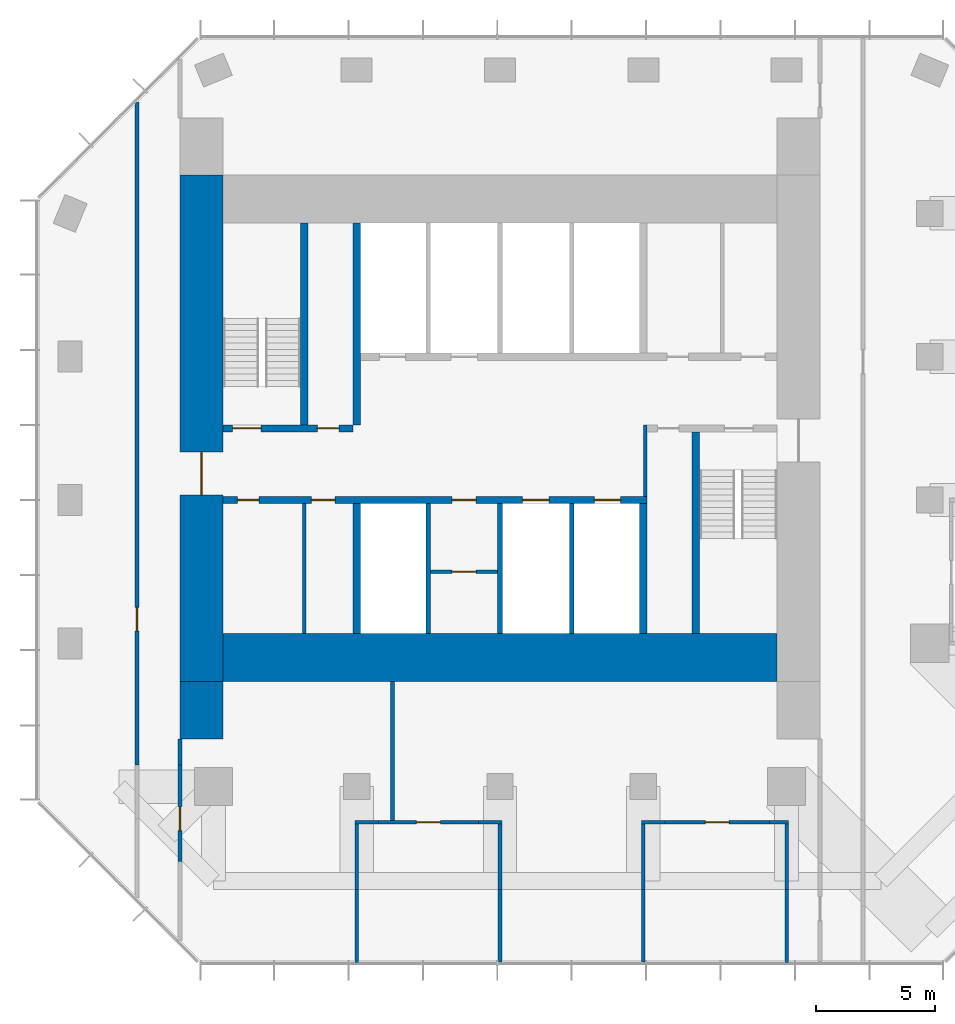
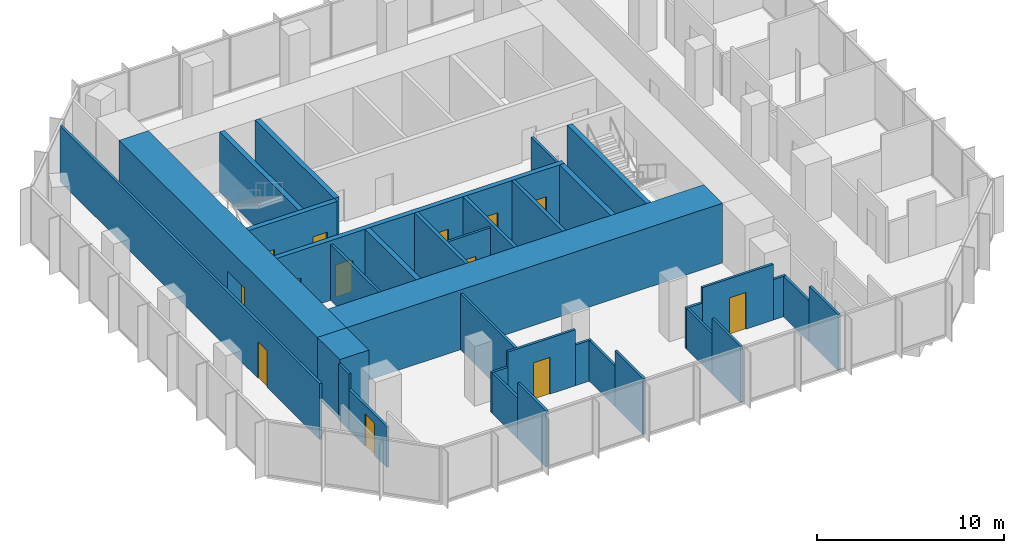
# One storey, part 8 of 11: 34 walls, 13 doors, 13 openings.
"""IFC4 building model written with IfcOpenShell, lengths in metres."""

from ifc_helpers import new_model, si_unit, direction, frame, frame_2d, origin, place, context, subcontext, project, spatial, rectangle, extrude, material, layer, layer_set, type_object, element, fill, save


model = new_model("IFC4")

# Units and contexts
model_context = context("Model", 3, precision=1e-05, world=origin(), true_north=direction((0.0, 1.0)))
body_context = subcontext(model_context, "Body", "Model", "MODEL_VIEW")
ifc_project = project(units=[si_unit("LENGTHUNIT", "METRE"), si_unit("AREAUNIT", "SQUARE_METRE"), si_unit("VOLUMEUNIT", "CUBIC_METRE"), si_unit("PLANEANGLEUNIT", "RADIAN"), si_unit("MASSUNIT", "GRAM", prefix="KILO")], contexts=[model_context])

# Site, building, storey
site_placement = place(None, origin())
site = spatial("IfcSite", under=ifc_project, at=site_placement, CompositionType="ELEMENT")
building_placement = place(site_placement, origin())
building = spatial("IfcBuilding", under=site, at=building_placement, Name="Highveld Stack Headquarters", CompositionType="ELEMENT")
storey_placement = place(building_placement, frame((0.0, 0.0, 291.800048828125)))
storey = spatial("IfcBuildingStorey", under=building, at=storey_placement, Name="L72", CompositionType="ELEMENT", Elevation=291.800048828125)

# Wall, opening, door
ifc_material_1 = material(Name="Concrete C60/75", Category="concrete")
ifc_layer_1 = layer(ifc_material_1, 1.800048828125)
ifc_layer_set_1 = layer_set([ifc_layer_1], Name="Concrete C60/75")
wall_type_1 = type_object("IfcWallType", Name="CORE WALL 1800 C60/75", PredefinedType="SHEAR", material=ifc_layer_set_1)
wall_1_placement = place(storey_placement, frame((-6.5, -7.60009765625, 0.0), z_axis=(0.0, 0.0, 1.0), x_axis=(0.0, 1.0, 0.0)))
wall_1 = element("IfcWall", 1, at=wall_1_placement, inside=storey, type_object=wall_type_1, Name="Core wall W L72", PredefinedType="SHEAR", context=body_context, shape_type="SweptSolid", body=[
    extrude(rectangle(XDim=21.2001953125, YDim=1.800048828125, at=frame_2d((10.60009765625, 0.0))), origin(), (0.0, 0.0, 1.0), 3.89990234375),
])
opening_1_placement = place(wall_1_placement, frame((7.800048828125, 0.0, 0.0)))
opening_1 = element("IfcOpeningElement", 2, at=opening_1_placement, cuts=wall_1, Name="Opening L72-01", PredefinedType="OPENING", context=body_context, shape_type="SweptSolid", body=[
    extrude(rectangle(XDim=1.800048828125, YDim=2.39990234375, at=frame_2d((0.89990234375, 1.199951171875))), frame((0.0, 0.909912109375, 0.0), z_axis=(0.0, -1.0, 0.0), x_axis=(1.0, 0.0, 0.0)), (0.0, 0.0, 1.0), 1.820068359375),
])
ifc_material_2 = material(Name="Steel fire door", Category="steel")
door_type_1 = type_object("IfcDoorType", Name="LOBBY FIRE DOOR D4 1800x2400", OperationType="DOUBLE_DOOR_SINGLE_SWING", PredefinedType="DOOR", material=ifc_material_2)
door_1_placement = place(opening_1_placement, origin())
door_1 = element("IfcDoor", 3, at=door_1_placement, inside=storey, type_object=door_type_1, Name="Core west door L72", OperationType="DOUBLE_DOOR_SINGLE_SWING", OverallHeight=2.39990234375, OverallWidth=1.800048828125, PredefinedType="DOOR", context=body_context, shape_type="SweptSolid", body=[
    extrude(rectangle(XDim=1.800048828125, YDim=2.39990234375, at=frame_2d((0.89990234375, 1.199951171875))), frame((0.0, 0.02490234375, 0.0), z_axis=(0.0, -1.0, 0.0), x_axis=(1.0, 0.0, 0.0)), (0.0, 0.0, 1.0), 0.050048828125),
])
fill(opening_1, door_1)

# Wall
ifc_material_3 = material(Name="Concrete C60/75", Category="concrete")
ifc_layer_2 = layer(ifc_material_3, 2.0)
ifc_layer_set_2 = layer_set([ifc_layer_2], Name="Concrete C60/75")
wall_type_2 = type_object("IfcWallType", Name="CORE WALL 2000 C60/75", PredefinedType="SHEAR", material=ifc_layer_set_2)
wall_2_placement = place(storey_placement, frame((-5.60009765625, -6.60009765625, 0.0), z_axis=(0.0, 0.0, 1.0), x_axis=(1.0, 0.0, 0.0)))
element("IfcWall", 4, at=wall_2_placement, inside=storey, type_object=wall_type_2, Name="Core wall S L72", PredefinedType="SHEAR", context=body_context, shape_type="SweptSolid", body=[
    extrude(rectangle(XDim=23.2001953125, YDim=2.0, at=frame_2d((11.60009765625, 0.0))), origin(), (0.0, 0.0, 1.0), 3.89990234375),
])

# Wall, openings, doors
ifc_material_4 = material(Name="Concrete C60/75", Category="concrete")
ifc_layer_3 = layer(ifc_material_4, 0.300048828125)
ifc_layer_set_3 = layer_set([ifc_layer_3], Name="Concrete C60/75")
wall_type_3 = type_object("IfcWallType", Name="CORE WALL 300 C60/75", PredefinedType="SHEAR", material=ifc_layer_set_3)
wall_3_placement = place(storey_placement, frame((-5.60009765625, 0.0, 0.0), z_axis=(0.0, 0.0, 1.0), x_axis=(1.0, 0.0, 0.0)))
wall_3 = element("IfcWall", 5, at=wall_3_placement, inside=storey, type_object=wall_type_3, Name="Core wall I-Y0 L72", PredefinedType="SHEAR", context=body_context, shape_type="SweptSolid", body=[
    extrude(rectangle(XDim=17.75, YDim=0.300048828125, at=frame_2d((8.875, 0.0))), origin(), (0.0, 0.0, 1.0), 3.89990234375),
])
opening_2_placement = place(wall_3_placement, frame((0.60009765625, 0.0, 0.0)))
opening_2 = element("IfcOpeningElement", 6, at=opening_2_placement, cuts=wall_3, Name="Opening L72-07", PredefinedType="OPENING", context=body_context, shape_type="SweptSolid", body=[
    extrude(rectangle(XDim=0.89990234375, YDim=2.10009765625, at=frame_2d((0.449951171875, 1.050048828125))), frame((0.0, 0.159912109375, 0.0), z_axis=(0.0, -1.0, 0.0), x_axis=(1.0, 0.0, 0.0)), (0.0, 0.0, 1.0), 0.320068359375),
])
opening_3_placement = place(wall_3_placement, frame((3.699951171875, 0.0, 0.0)))
opening_3 = element("IfcOpeningElement", 7, at=opening_3_placement, cuts=wall_3, Name="Opening L72-08", PredefinedType="OPENING", context=body_context, shape_type="SweptSolid", body=[
    extrude(rectangle(XDim=1.0, YDim=2.10009765625, at=frame_2d((0.5, 1.050048828125))), frame((0.0, 0.159912109375, 0.0), z_axis=(0.0, -1.0, 0.0), x_axis=(1.0, 0.0, 0.0)), (0.0, 0.0, 1.0), 0.320068359375),
])
opening_4_placement = place(wall_3_placement, frame((9.60009765625, 0.0, 0.0)))
opening_4 = element("IfcOpeningElement", 8, at=opening_4_placement, cuts=wall_3, Name="Opening L72-12", PredefinedType="OPENING", context=body_context, shape_type="SweptSolid", body=[
    extrude(rectangle(XDim=1.0, YDim=2.10009765625, at=frame_2d((0.5, 1.050048828125))), frame((0.0, 0.159912109375, 0.0), z_axis=(0.0, -1.0, 0.0), x_axis=(1.0, 0.0, 0.0)), (0.0, 0.0, 1.0), 0.320068359375),
])
opening_5_placement = place(wall_3_placement, frame((12.550048828125, 0.0, 0.0)))
opening_5 = element("IfcOpeningElement", 9, at=opening_5_placement, cuts=wall_3, Name="Opening LD", PredefinedType="OPENING", context=body_context, shape_type="SweptSolid", body=[
    extrude(rectangle(XDim=1.10009765625, YDim=2.10009765625, at=frame_2d((0.550048828125, 1.050048828125))), frame((0.0, 0.159912109375, 0.0), z_axis=(0.0, -1.0, 0.0), x_axis=(1.0, 0.0, 0.0)), (0.0, 0.0, 1.0), 0.320068359375),
])
opening_6_placement = place(wall_3_placement, frame((15.550048828125, 0.0, 0.0)))
opening_6 = element("IfcOpeningElement", 10, at=opening_6_placement, cuts=wall_3, Name="Opening LD", PredefinedType="OPENING", context=body_context, shape_type="SweptSolid", body=[
    extrude(rectangle(XDim=1.10009765625, YDim=2.10009765625, at=frame_2d((0.550048828125, 1.050048828125))), frame((0.0, 0.159912109375, 0.0), z_axis=(0.0, -1.0, 0.0), x_axis=(1.0, 0.0, 0.0)), (0.0, 0.0, 1.0), 0.320068359375),
])
ifc_material_5 = material(Name="Steel fire door", Category="steel")
door_type_2 = type_object("IfcDoorType", Name="CORE ROOM FIRE DOOR D14 1000x2100", OperationType="SINGLE_SWING_LEFT", PredefinedType="DOOR", material=ifc_material_5)
door_2_placement = place(opening_3_placement, origin())
door_2 = element("IfcDoor", 11, at=door_2_placement, inside=storey, type_object=door_type_2, Name="Cleaners store door L72", OperationType="SINGLE_SWING_LEFT", OverallHeight=2.10009765625, OverallWidth=1.0, PredefinedType="DOOR", context=body_context, shape_type="SweptSolid", body=[
    extrude(rectangle(XDim=1.0, YDim=2.10009765625, at=frame_2d((0.5, 1.050048828125))), frame((0.0, 0.02490234375, 0.0), z_axis=(0.0, -1.0, 0.0), x_axis=(1.0, 0.0, 0.0)), (0.0, 0.0, 1.0), 0.050048828125),
])
fill(opening_3, door_2)
door_3_placement = place(opening_4_placement, origin())
door_3 = element("IfcDoor", 12, at=door_3_placement, inside=storey, type_object=door_type_2, Name="Capped B 1 door L72", OperationType="SINGLE_SWING_RIGHT", OverallHeight=2.10009765625, OverallWidth=1.0, PredefinedType="DOOR", context=body_context, shape_type="SweptSolid", body=[
    extrude(rectangle(XDim=1.0, YDim=2.10009765625, at=frame_2d((0.5, 1.050048828125))), frame((0.0, 0.02490234375, 0.0), z_axis=(0.0, -1.0, 0.0), x_axis=(1.0, 0.0, 0.0)), (0.0, 0.0, 1.0), 0.050048828125),
])
fill(opening_4, door_3)
ifc_material_6 = material(Name="Stainless steel lift landing door", Category="steel")
door_type_3 = type_object("IfcDoorType", Name="LIFT LANDING DOOR LD 1100x2100", OperationType="DOUBLE_DOOR_SLIDING", PredefinedType="USERDEFINED", material=ifc_material_6)
door_4_placement = place(opening_5_placement, origin())
door_4 = element("IfcDoor", 13, at=door_4_placement, inside=storey, type_object=door_type_3, Name="Lift landing door C1 L72", ObjectType="LIFT LANDING DOOR", OperationType="DOUBLE_DOOR_SLIDING", OverallHeight=2.10009765625, OverallWidth=1.10009765625, PredefinedType="USERDEFINED", context=body_context, shape_type="SweptSolid", body=[
    extrude(rectangle(XDim=1.10009765625, YDim=2.10009765625, at=frame_2d((0.550048828125, 1.050048828125))), frame((0.0, 0.02490234375, 0.0), z_axis=(0.0, -1.0, 0.0), x_axis=(1.0, 0.0, 0.0)), (0.0, 0.0, 1.0), 0.050048828125),
])
fill(opening_5, door_4)
door_5_placement = place(opening_6_placement, origin())
door_5 = element("IfcDoor", 14, at=door_5_placement, inside=storey, type_object=door_type_3, Name="Lift landing door C2 L72", ObjectType="LIFT LANDING DOOR", OperationType="DOUBLE_DOOR_SLIDING", OverallHeight=2.10009765625, OverallWidth=1.10009765625, PredefinedType="USERDEFINED", context=body_context, shape_type="SweptSolid", body=[
    extrude(rectangle(XDim=1.10009765625, YDim=2.10009765625, at=frame_2d((0.550048828125, 1.050048828125))), frame((0.0, 0.02490234375, 0.0), z_axis=(0.0, -1.0, 0.0), x_axis=(1.0, 0.0, 0.0)), (0.0, 0.0, 1.0), 0.050048828125),
])
fill(opening_6, door_5)
ifc_material_7 = material(Name="Timber door, painted", Category="wood")
door_type_4 = type_object("IfcDoorType", Name="WC DOOR D1 900x2100", OperationType="SINGLE_SWING_LEFT", PredefinedType="DOOR", material=ifc_material_7)
door_6_placement = place(opening_2_placement, origin())
door_6 = element("IfcDoor", 15, at=door_6_placement, inside=storey, type_object=door_type_4, Name="Female WC door L72", OperationType="SINGLE_SWING_LEFT", OverallHeight=2.10009765625, OverallWidth=0.89990234375, PredefinedType="DOOR", context=body_context, shape_type="SweptSolid", body=[
    extrude(rectangle(XDim=0.89990234375, YDim=2.10009765625, at=frame_2d((0.449951171875, 1.050048828125))), frame((0.0, 0.02490234375, 0.0), z_axis=(0.0, -1.0, 0.0), x_axis=(1.0, 0.0, 0.0)), (0.0, 0.0, 1.0), 0.050048828125),
])
fill(opening_2, door_6)

wall_4_placement = place(storey_placement, frame((-5.60009765625, 3.0, 0.0), z_axis=(0.0, 0.0, 1.0), x_axis=(1.0, 0.0, 0.0)))
wall_4 = element("IfcWall", 16, at=wall_4_placement, inside=storey, type_object=wall_type_3, Name="Core wall I-Y3W L72", PredefinedType="SHEAR", context=body_context, shape_type="SweptSolid", body=[
    extrude(rectangle(XDim=5.4501953125, YDim=0.300048828125, at=frame_2d((2.72509765625, 0.0))), origin(), (0.0, 0.0, 1.0), 3.89990234375),
])
opening_7_placement = place(wall_4_placement, frame((0.39990234375, 0.0, 0.0)))
opening_7 = element("IfcOpeningElement", 17, at=opening_7_placement, cuts=wall_4, Name="Opening L72-03", PredefinedType="OPENING", context=body_context, shape_type="SweptSolid", body=[
    extrude(rectangle(XDim=1.199951171875, YDim=2.10009765625, at=frame_2d((0.60009765625, 1.050048828125))), frame((0.0, 0.159912109375, 0.0), z_axis=(0.0, -1.0, 0.0), x_axis=(1.0, 0.0, 0.0)), (0.0, 0.0, 1.0), 0.320068359375),
])
opening_8_placement = place(wall_4_placement, frame((3.949951171875, 0.0, 0.0)))
opening_8 = element("IfcOpeningElement", 18, at=opening_8_placement, cuts=wall_4, Name="Opening L72-04", PredefinedType="OPENING", context=body_context, shape_type="SweptSolid", body=[
    extrude(rectangle(XDim=0.89990234375, YDim=2.10009765625, at=frame_2d((0.449951171875, 1.050048828125))), frame((0.0, 0.159912109375, 0.0), z_axis=(0.0, -1.0, 0.0), x_axis=(1.0, 0.0, 0.0)), (0.0, 0.0, 1.0), 0.320068359375),
])
ifc_material_8 = material(Name="Steel fire door", Category="steel")
door_type_5 = type_object("IfcDoorType", Name="RISER ACCESS DOOR D5 900x2100", OperationType="SINGLE_SWING_LEFT", PredefinedType="DOOR", material=ifc_material_8)
door_7_placement = place(opening_8_placement, origin())
door_7 = element("IfcDoor", 19, at=door_7_placement, inside=storey, type_object=door_type_5, Name="Riser R1 door L72", OperationType="SINGLE_SWING_RIGHT", OverallHeight=2.10009765625, OverallWidth=0.89990234375, PredefinedType="DOOR", context=body_context, shape_type="SweptSolid", body=[
    extrude(rectangle(XDim=0.89990234375, YDim=2.10009765625, at=frame_2d((0.449951171875, 1.050048828125))), frame((0.0, 0.02490234375, 0.0), z_axis=(0.0, -1.0, 0.0), x_axis=(1.0, 0.0, 0.0)), (0.0, 0.0, 1.0), 0.050048828125),
])
fill(opening_8, door_7)
ifc_material_9 = material(Name="Steel fire door", Category="steel")
door_type_6 = type_object("IfcDoorType", Name="STAIR FIRE DOOR D3 1200x2100", OperationType="SINGLE_SWING_LEFT", PredefinedType="DOOR", material=ifc_material_9)
door_8_placement = place(opening_7_placement, origin())
door_8 = element("IfcDoor", 20, at=door_8_placement, inside=storey, type_object=door_type_6, Name="Stair S1 door L72", OperationType="SINGLE_SWING_LEFT", OverallHeight=2.10009765625, OverallWidth=1.199951171875, PredefinedType="DOOR", context=body_context, shape_type="SweptSolid", body=[
    extrude(rectangle(XDim=1.199951171875, YDim=2.10009765625, at=frame_2d((0.60009765625, 1.050048828125))), frame((0.0, 0.02490234375, 0.0), z_axis=(0.0, -1.0, 0.0), x_axis=(1.0, 0.0, 0.0)), (0.0, 0.0, 1.0), 0.050048828125),
])
fill(opening_7, door_8)

# Walls
wall_5_placement = place(storey_placement, frame((0.0, -5.60009765625, 0.0), z_axis=(0.0, 0.0, 1.0), x_axis=(0.0, 1.0, 0.0)))
element("IfcWall", 21, at=wall_5_placement, inside=storey, type_object=wall_type_3, Name="Core wall I-X0S L72", PredefinedType="SHEAR", context=body_context, shape_type="SweptSolid", body=[
    extrude(rectangle(XDim=5.4501953125, YDim=0.300048828125, at=frame_2d((2.72509765625, 0.0))), origin(), (0.0, 0.0, 1.0), 3.89990234375),
])
wall_6_placement = place(storey_placement, frame((0.0, 3.14990234375, 0.0), z_axis=(0.0, 0.0, 1.0), x_axis=(0.0, 1.0, 0.0)))
element("IfcWall", 22, at=wall_6_placement, inside=storey, type_object=wall_type_3, Name="Core wall I-X0N L72", PredefinedType="SHEAR", context=body_context, shape_type="SweptSolid", body=[
    extrude(rectangle(XDim=8.4501953125, YDim=0.300048828125, at=frame_2d((4.22509765625, 0.0))), origin(), (0.0, 0.0, 1.0), 3.89990234375),
])
wall_7_placement = place(storey_placement, frame((12.0, -5.60009765625, 0.0), z_axis=(0.0, 0.0, 1.0), x_axis=(0.0, 1.0, 0.0)))
element("IfcWall", 23, at=wall_7_placement, inside=storey, type_object=wall_type_3, Name="Core wall I-X12S L72", PredefinedType="SHEAR", context=body_context, shape_type="SweptSolid", body=[
    extrude(rectangle(XDim=5.4501953125, YDim=0.300048828125, at=frame_2d((2.72509765625, 0.0))), origin(), (0.0, 0.0, 1.0), 3.89990234375),
])
for number, where, z_axis, x_axis, name in (
    (24, (-2.199951171875, 3.14990234375, 0.0), (0.0, 0.0, 1.0), (0.0, 1.0, 0.0), "Core wall I-RW L72"),
    (25, (14.199951171875, -5.60009765625, 0.0), (0.0, 0.0, 1.0), (0.0, 1.0, 0.0), "Core wall I-RE L72"),
):
    element("IfcWall", number, at=place(storey_placement, frame(where, z_axis=z_axis, x_axis=x_axis)), inside=storey, type_object=wall_type_3, Name=name, PredefinedType="SHEAR", context=body_context, shape_type="SweptSolid", body=[
        extrude(rectangle(XDim=8.4501953125, YDim=0.300048828125, at=frame_2d((4.22509765625, 0.0))), origin(), (0.0, 0.0, 1.0), 3.89990234375),
    ])
ifc_material_10 = material(Name="Concrete C60/75", Category="concrete")
ifc_layer_4 = layer(ifc_material_10, 1.800048828125)
ifc_layer_set_4 = layer_set([ifc_layer_4], Name="Concrete C60/75")
wall_type_4 = type_object("IfcWallType", Name="CORE WING WALL 1800 C60/75", PredefinedType="SHEAR", material=ifc_layer_set_4)
wall_8_placement = place(storey_placement, frame((-6.5, -10.0, 0.0), z_axis=(0.0, 0.0, 1.0), x_axis=(0.0, 1.0, 0.0)))
element("IfcWall", 26, at=wall_8_placement, inside=storey, type_object=wall_type_4, Name="Core wing wall WS L72", PredefinedType="SHEAR", context=body_context, shape_type="SweptSolid", body=[
    extrude(rectangle(XDim=2.39990234375, YDim=1.800048828125, at=frame_2d((1.199951171875, 0.0))), origin(), (0.0, 0.0, 1.0), 3.89990234375),
])

# Wall, opening, door
ifc_material_11 = material(Name="Concrete blockwork, plastered", Category="masonry")
ifc_layer_5 = layer(ifc_material_11, 0.14990234375)
ifc_layer_set_5 = layer_set([ifc_layer_5], Name="Concrete blockwork, plastered")
wall_type_5 = type_object("IfcWallType", Name="FIRE PARTITION 150 BLOCKWORK", PredefinedType="PARTITIONING", material=ifc_layer_set_5)
wall_9_placement = place(storey_placement, frame((3.10009765625, -3.0, 0.0), z_axis=(0.0, 0.0, 1.0), x_axis=(1.0, 0.0, 0.0)))
wall_9 = element("IfcWall", 27, at=wall_9_placement, inside=storey, type_object=wall_type_5, Name="Core room partition L72", PredefinedType="PARTITIONING", context=body_context, shape_type="SweptSolid", body=[
    extrude(rectangle(XDim=2.7998046875, YDim=0.14990234375, at=frame_2d((1.39990234375, 0.0))), origin(), (0.0, 0.0, 1.0), 3.64990234375),
])
opening_9_placement = place(wall_9_placement, frame((0.89990234375, 0.0, 0.0)))
opening_9 = element("IfcOpeningElement", 28, at=opening_9_placement, cuts=wall_9, Name="Opening L72-11", PredefinedType="OPENING", context=body_context, shape_type="SweptSolid", body=[
    extrude(rectangle(XDim=1.0, YDim=2.10009765625, at=frame_2d((0.5, 1.050048828125))), frame((0.0, 0.0849609375, 0.0), z_axis=(0.0, -1.0, 0.0), x_axis=(1.0, 0.0, 0.0)), (0.0, 0.0, 1.0), 0.169921875),
])
door_9_placement = place(opening_9_placement, origin())
door_9 = element("IfcDoor", 29, at=door_9_placement, inside=storey, type_object=door_type_2, Name="Capped B 2 door L72", OperationType="SINGLE_SWING_RIGHT", OverallHeight=2.10009765625, OverallWidth=1.0, PredefinedType="DOOR", context=body_context, shape_type="SweptSolid", body=[
    extrude(rectangle(XDim=1.0, YDim=2.10009765625, at=frame_2d((0.5, 1.050048828125))), frame((0.0, 0.02490234375, 0.0), z_axis=(0.0, -1.0, 0.0), x_axis=(1.0, 0.0, 0.0)), (0.0, 0.0, 1.0), 0.050048828125),
])
fill(opening_9, door_9)

# Walls
wall_10_placement = place(storey_placement, frame((12.074951171875, 0.14990234375, 0.0), z_axis=(0.0, 0.0, 1.0), x_axis=(0.0, 1.0, 0.0)))
element("IfcWall", 30, at=wall_10_placement, inside=storey, type_object=wall_type_5, Name="Riser R2 enclosure L72", PredefinedType="PARTITIONING", context=body_context, shape_type="SweptSolid", body=[
    extrude(rectangle(XDim=3.0, YDim=0.14990234375, at=frame_2d((1.5, 0.0))), origin(), (0.0, 0.0, 1.0), 3.64990234375),
])
ifc_material_12 = material(Name="Concrete blockwork, fair-faced", Category="masonry")
ifc_layer_6 = layer(ifc_material_12, 0.199951171875)
ifc_layer_set_6 = layer_set([ifc_layer_6], Name="Concrete blockwork, fair-faced")
wall_type_6 = type_object("IfcWallType", Name="LIFT SHAFT ENCLOSURE WALL 200 BLOCKWORK", PredefinedType="SOLIDWALL", material=ifc_layer_set_6)
for number, where, z_axis, x_axis, name in (
    (31, (3.0, -5.60009765625, 0.0), (0.0, 0.0, 1.0), (0.0, 1.0, 0.0), "Lift shaft wall L72"),
    (32, (6.0, -5.60009765625, 0.0), (0.0, 0.0, 1.0), (0.0, 1.0, 0.0), "Lift shaft wall L72"),
    (33, (9.0, -5.60009765625, 0.0), (0.0, 0.0, 1.0), (0.0, 1.0, 0.0), "Lift shaft wall L72"),
):
    element("IfcWall", number, at=place(storey_placement, frame(where, z_axis=z_axis, x_axis=x_axis)), inside=storey, type_object=wall_type_6, Name=name, PredefinedType="SOLIDWALL", context=body_context, shape_type="SweptSolid", body=[
        extrude(rectangle(XDim=5.4501953125, YDim=0.199951171875, at=frame_2d((2.72509765625, 0.0))), origin(), (0.0, 0.0, 1.0), 3.89990234375),
    ])
ifc_material_13 = material(Name="Gypsum plasterboard on steel studs", Category="steel")
ifc_layer_7 = layer(ifc_material_13, 0.14990234375)
ifc_layer_set_7 = layer_set([ifc_layer_7], Name="Gypsum plasterboard on steel studs")
wall_type_7 = type_object("IfcWallType", Name="PARTITION 150 PLASTERBOARD", PredefinedType="PARTITIONING", material=ifc_layer_set_7)
wall_11_placement = place(storey_placement, frame((-0.074951171875, -13.5, 0.0), z_axis=(0.0, 0.0, 1.0), x_axis=(1.0, 0.0, 0.0)))
element("IfcWall", 34, at=wall_11_placement, inside=storey, type_object=wall_type_7, Name="Partition Quiet room L72", PredefinedType="PARTITIONING", context=body_context, shape_type="SweptSolid", body=[
    extrude(rectangle(XDim=0.98486328125, YDim=0.14990234375, at=frame_2d((0.492431640625, 0.0))), origin(), (0.0, 0.0, 1.0), 2.64990234375),
])

# Wall, opening, door
wall_12_placement = place(storey_placement, frame((0.909912109375, -13.5, 0.0), z_axis=(0.0, 0.0, 1.0), x_axis=(1.0, 0.0, 0.0)))
wall_12 = element("IfcWall", 35, at=wall_12_placement, inside=storey, type_object=wall_type_7, Name="Partition Quiet room L72", PredefinedType="PARTITIONING", context=body_context, shape_type="SweptSolid", body=[
    extrude(rectangle(XDim=4.18017578125, YDim=0.14990234375, at=frame_2d((2.090087890625, 0.0))), origin(), (0.0, 0.0, 1.0), 3.64990234375),
])
opening_10_placement = place(wall_12_placement, frame((1.590087890625, 0.0, 0.0)))
opening_10 = element("IfcOpeningElement", 36, at=opening_10_placement, cuts=wall_12, Name="Opening L72-13", PredefinedType="OPENING", context=body_context, shape_type="SweptSolid", body=[
    extrude(rectangle(XDim=1.0, YDim=2.39990234375, at=frame_2d((0.5, 1.199951171875))), frame((0.0, 0.0849609375, 0.0), z_axis=(0.0, -1.0, 0.0), x_axis=(1.0, 0.0, 0.0)), (0.0, 0.0, 1.0), 0.169921875),
])
ifc_material_14 = material(Name="Timber door, oiled ash", Category="wood")
door_type_7 = type_object("IfcDoorType", Name="ROOM DOOR D11 1000x2400", OperationType="SINGLE_SWING_LEFT", PredefinedType="DOOR", material=ifc_material_14)
door_10_placement = place(opening_10_placement, origin())
door_10 = element("IfcDoor", 37, at=door_10_placement, inside=storey, type_object=door_type_7, Name="Quiet room door 1 L72", OperationType="SINGLE_SWING_RIGHT", OverallHeight=2.39990234375, OverallWidth=1.0, PredefinedType="DOOR", context=body_context, shape_type="SweptSolid", body=[
    extrude(rectangle(XDim=1.0, YDim=2.39990234375, at=frame_2d((0.5, 1.199951171875))), frame((0.0, 0.02490234375, 0.0), z_axis=(0.0, -1.0, 0.0), x_axis=(1.0, 0.0, 0.0)), (0.0, 0.0, 1.0), 0.050048828125),
])
fill(opening_10, door_10)

# Walls
for number, where, z_axis, x_axis, name in (
    (38, (5.090087890625, -13.5, 0.0), (0.0, 0.0, 1.0), (1.0, 0.0, 0.0), "Partition Quiet room L72"),
    (39, (11.925048828125, -13.5, 0.0), (0.0, 0.0, 1.0), (1.0, 0.0, 0.0), "Partition Quiet room L72"),
):
    element("IfcWall", number, at=place(storey_placement, frame(where, z_axis=z_axis, x_axis=x_axis)), inside=storey, type_object=wall_type_7, Name=name, PredefinedType="PARTITIONING", context=body_context, shape_type="SweptSolid", body=[
        extrude(rectangle(XDim=0.98486328125, YDim=0.14990234375, at=frame_2d((0.492431640625, 0.0))), origin(), (0.0, 0.0, 1.0), 2.64990234375),
    ])

# Wall, opening, door
wall_13_placement = place(storey_placement, frame((12.909912109375, -13.5, 0.0), z_axis=(0.0, 0.0, 1.0), x_axis=(1.0, 0.0, 0.0)))
wall_13 = element("IfcWall", 40, at=wall_13_placement, inside=storey, type_object=wall_type_7, Name="Partition Quiet room L72", PredefinedType="PARTITIONING", context=body_context, shape_type="SweptSolid", body=[
    extrude(rectangle(XDim=4.380126953125, YDim=0.14990234375, at=frame_2d((2.18994140625, 0.0))), origin(), (0.0, 0.0, 1.0), 3.64990234375),
])
opening_11_placement = place(wall_13_placement, frame((1.68994140625, 0.0, 0.0)))
opening_11 = element("IfcOpeningElement", 41, at=opening_11_placement, cuts=wall_13, Name="Opening L72-14", PredefinedType="OPENING", context=body_context, shape_type="SweptSolid", body=[
    extrude(rectangle(XDim=1.0, YDim=2.39990234375, at=frame_2d((0.5, 1.199951171875))), frame((0.0, 0.0849609375, 0.0), z_axis=(0.0, -1.0, 0.0), x_axis=(1.0, 0.0, 0.0)), (0.0, 0.0, 1.0), 0.169921875),
])
door_11_placement = place(opening_11_placement, origin())
door_11 = element("IfcDoor", 42, at=door_11_placement, inside=storey, type_object=door_type_7, Name="Quiet room door 1 L72", OperationType="SINGLE_SWING_RIGHT", OverallHeight=2.39990234375, OverallWidth=1.0, PredefinedType="DOOR", context=body_context, shape_type="SweptSolid", body=[
    extrude(rectangle(XDim=1.0, YDim=2.39990234375, at=frame_2d((0.5, 1.199951171875))), frame((0.0, 0.02490234375, 0.0), z_axis=(0.0, -1.0, 0.0), x_axis=(1.0, 0.0, 0.0)), (0.0, 0.0, 1.0), 0.050048828125),
])
fill(opening_11, door_11)

# Walls
wall_14_placement = place(storey_placement, frame((17.2900390625, -13.5, 0.0), z_axis=(0.0, 0.0, 1.0), x_axis=(1.0, 0.0, 0.0)))
element("IfcWall", 43, at=wall_14_placement, inside=storey, type_object=wall_type_7, Name="Partition Quiet room L72", PredefinedType="PARTITIONING", context=body_context, shape_type="SweptSolid", body=[
    extrude(rectangle(XDim=0.784912109375, YDim=0.14990234375, at=frame_2d((0.392578125, 0.0))), origin(), (0.0, 0.0, 1.0), 2.64990234375),
])
wall_15_placement = place(storey_placement, frame((0.0, -19.375, 0.0), z_axis=(0.0, 0.0, 1.0), x_axis=(0.0, 1.0, 0.0)))
element("IfcWall", 44, at=wall_15_placement, inside=storey, type_object=wall_type_7, Name="Partition Quiet room L72", PredefinedType="PARTITIONING", context=body_context, shape_type="SweptSolid", body=[
    extrude(rectangle(XDim=3.06494140625, YDim=0.14990234375, at=frame_2d((1.532470703125, 0.0))), origin(), (0.0, 0.0, 1.0), 3.64990234375),
])
wall_16_placement = place(storey_placement, frame((0.0, -16.31005859375, 0.0), z_axis=(0.0, 0.0, 1.0), x_axis=(0.0, 1.0, 0.0)))
element("IfcWall", 45, at=wall_16_placement, inside=storey, type_object=wall_type_7, Name="Partition Quiet room L72", PredefinedType="PARTITIONING", context=body_context, shape_type="SweptSolid", body=[
    extrude(rectangle(XDim=2.735107421875, YDim=0.14990234375, at=frame_2d((1.36767578125, 0.0))), origin(), (0.0, 0.0, 1.0), 2.64990234375),
])
wall_17_placement = place(storey_placement, frame((6.0, -19.35009765625, 0.0), z_axis=(0.0, 0.0, 1.0), x_axis=(0.0, 1.0, 0.0)))
element("IfcWall", 46, at=wall_17_placement, inside=storey, type_object=wall_type_7, Name="Partition Quiet room L72", PredefinedType="PARTITIONING", context=body_context, shape_type="SweptSolid", body=[
    extrude(rectangle(XDim=3.0400390625, YDim=0.14990234375, at=frame_2d((1.52001953125, 0.0))), origin(), (0.0, 0.0, 1.0), 3.64990234375),
])
wall_18_placement = place(storey_placement, frame((6.0, -16.31005859375, 0.0), z_axis=(0.0, 0.0, 1.0), x_axis=(0.0, 1.0, 0.0)))
element("IfcWall", 47, at=wall_18_placement, inside=storey, type_object=wall_type_7, Name="Partition Quiet room L72", PredefinedType="PARTITIONING", context=body_context, shape_type="SweptSolid", body=[
    extrude(rectangle(XDim=2.735107421875, YDim=0.14990234375, at=frame_2d((1.36767578125, 0.0))), origin(), (0.0, 0.0, 1.0), 2.64990234375),
])
wall_19_placement = place(storey_placement, frame((12.0, -19.35009765625, 0.0), z_axis=(0.0, 0.0, 1.0), x_axis=(0.0, 1.0, 0.0)))
element("IfcWall", 48, at=wall_19_placement, inside=storey, type_object=wall_type_7, Name="Partition Quiet room L72", PredefinedType="PARTITIONING", context=body_context, shape_type="SweptSolid", body=[
    extrude(rectangle(XDim=3.0400390625, YDim=0.14990234375, at=frame_2d((1.52001953125, 0.0))), origin(), (0.0, 0.0, 1.0), 3.64990234375),
])
wall_20_placement = place(storey_placement, frame((12.0, -16.31005859375, 0.0), z_axis=(0.0, 0.0, 1.0), x_axis=(0.0, 1.0, 0.0)))
element("IfcWall", 49, at=wall_20_placement, inside=storey, type_object=wall_type_7, Name="Partition Quiet room L72", PredefinedType="PARTITIONING", context=body_context, shape_type="SweptSolid", body=[
    extrude(rectangle(XDim=2.735107421875, YDim=0.14990234375, at=frame_2d((1.36767578125, 0.0))), origin(), (0.0, 0.0, 1.0), 2.64990234375),
])
wall_21_placement = place(storey_placement, frame((18.0, -19.375, 0.0), z_axis=(0.0, 0.0, 1.0), x_axis=(0.0, 1.0, 0.0)))
element("IfcWall", 50, at=wall_21_placement, inside=storey, type_object=wall_type_7, Name="Partition Quiet room L72", PredefinedType="PARTITIONING", context=body_context, shape_type="SweptSolid", body=[
    extrude(rectangle(XDim=3.06494140625, YDim=0.14990234375, at=frame_2d((1.532470703125, 0.0))), origin(), (0.0, 0.0, 1.0), 3.64990234375),
])
wall_22_placement = place(storey_placement, frame((18.0, -16.31005859375, 0.0), z_axis=(0.0, 0.0, 1.0), x_axis=(0.0, 1.0, 0.0)))
element("IfcWall", 51, at=wall_22_placement, inside=storey, type_object=wall_type_7, Name="Partition Quiet room L72", PredefinedType="PARTITIONING", context=body_context, shape_type="SweptSolid", body=[
    extrude(rectangle(XDim=2.735107421875, YDim=0.14990234375, at=frame_2d((1.36767578125, 0.0))), origin(), (0.0, 0.0, 1.0), 2.64990234375),
])

# Wall, opening, door
wall_23_placement = place(storey_placement, frame((-9.199951171875, -11.090087890625, 0.0), z_axis=(0.0, 0.0, 1.0), x_axis=(0.0, 1.0, 0.0)))
wall_23 = element("IfcWall", 52, at=wall_23_placement, inside=storey, type_object=wall_type_7, Name="Partition office neighbourhood L72", PredefinedType="PARTITIONING", context=body_context, shape_type="SweptSolid", body=[
    extrude(rectangle(XDim=27.754150390625, YDim=0.14990234375, at=frame_2d((13.876953125, 0.0))), origin(), (0.0, 0.0, 1.0), 3.64990234375),
])
opening_12_placement = place(wall_23_placement, frame((5.597900390625, 0.0, 0.0)))
opening_12 = element("IfcOpeningElement", 53, at=opening_12_placement, cuts=wall_23, Name="Opening L72-20", PredefinedType="OPENING", context=body_context, shape_type="SweptSolid", body=[
    extrude(rectangle(XDim=1.0, YDim=2.39990234375, at=frame_2d((0.5, 1.199951171875))), frame((0.0, 0.0849609375, 0.0), z_axis=(0.0, -1.0, 0.0), x_axis=(1.0, 0.0, 0.0)), (0.0, 0.0, 1.0), 0.169921875),
])
door_12_placement = place(opening_12_placement, origin())
door_12 = element("IfcDoor", 54, at=door_12_placement, inside=storey, type_object=door_type_7, Name="Office neighbourhood door L72", OperationType="SINGLE_SWING_LEFT", OverallHeight=2.39990234375, OverallWidth=1.0, PredefinedType="DOOR", context=body_context, shape_type="SweptSolid", body=[
    extrude(rectangle(XDim=1.0, YDim=2.39990234375, at=frame_2d((0.5, 1.199951171875))), frame((0.0, 0.02490234375, 0.0), z_axis=(0.0, -1.0, 0.0), x_axis=(1.0, 0.0, 0.0)), (0.0, 0.0, 1.0), 0.050048828125),
])
fill(opening_12, door_12)

wall_24_placement = place(storey_placement, frame((-7.39990234375, -15.139892578125, 0.0), z_axis=(0.0, 0.0, 1.0), x_axis=(0.0, 1.0, 0.0)))
wall_24 = element("IfcWall", 55, at=wall_24_placement, inside=storey, type_object=wall_type_7, Name="Partition office neighbourhood L72", PredefinedType="PARTITIONING", context=body_context, shape_type="SweptSolid", body=[
    extrude(rectangle(XDim=4.0498046875, YDim=0.14990234375, at=frame_2d((2.02490234375, 0.0))), origin(), (0.0, 0.0, 1.0), 2.64990234375),
])
opening_13_placement = place(wall_24_placement, frame((1.300048828125, 0.0, 0.0)))
opening_13 = element("IfcOpeningElement", 56, at=opening_13_placement, cuts=wall_24, Name="Opening L72-22", PredefinedType="OPENING", context=body_context, shape_type="SweptSolid", body=[
    extrude(rectangle(XDim=1.0, YDim=2.10009765625, at=frame_2d((0.5, 1.050048828125))), frame((0.0, 0.0849609375, 0.0), z_axis=(0.0, -1.0, 0.0), x_axis=(1.0, 0.0, 0.0)), (0.0, 0.0, 1.0), 0.169921875),
])
ifc_material_15 = material(Name="Timber door, oiled ash", Category="wood")
door_type_8 = type_object("IfcDoorType", Name="ROOM DOOR D6 1000x2100", OperationType="SINGLE_SWING_LEFT", PredefinedType="DOOR", material=ifc_material_15)
door_13_placement = place(opening_13_placement, origin())
door_13 = element("IfcDoor", 57, at=door_13_placement, inside=storey, type_object=door_type_8, Name="Office neighbourhood door L72", OperationType="SINGLE_SWING_LEFT", OverallHeight=2.10009765625, OverallWidth=1.0, PredefinedType="DOOR", context=body_context, shape_type="SweptSolid", body=[
    extrude(rectangle(XDim=1.0, YDim=2.10009765625, at=frame_2d((0.5, 1.050048828125))), frame((0.0, 0.02490234375, 0.0), z_axis=(0.0, -1.0, 0.0), x_axis=(1.0, 0.0, 0.0)), (0.0, 0.0, 1.0), 0.050048828125),
])
fill(opening_13, door_13)

# Walls
wall_25_placement = place(storey_placement, frame((-7.39990234375, -11.090087890625, 0.0), z_axis=(0.0, 0.0, 1.0), x_axis=(0.0, 1.0, 0.0)))
element("IfcWall", 58, at=wall_25_placement, inside=storey, type_object=wall_type_7, Name="Partition office neighbourhood L72", PredefinedType="PARTITIONING", context=body_context, shape_type="SweptSolid", body=[
    extrude(rectangle(XDim=1.090087890625, YDim=0.14990234375, at=frame_2d((0.544921875, 0.0))), origin(), (0.0, 0.0, 1.0), 3.64990234375),
])
wall_26_placement = place(storey_placement, frame((1.5, -13.425048828125, 0.0), z_axis=(0.0, 0.0, 1.0), x_axis=(0.0, 1.0, 0.0)))
element("IfcWall", 59, at=wall_26_placement, inside=storey, type_object=wall_type_7, Name="Partition office neighbourhood L72", PredefinedType="PARTITIONING", context=body_context, shape_type="SweptSolid", body=[
    extrude(rectangle(XDim=5.824951171875, YDim=0.14990234375, at=frame_2d((2.91259765625, 0.0))), origin(), (0.0, 0.0, 1.0), 3.64990234375),
])
ifc_material_16 = material(Name="Concrete blockwork, tiled", Category="masonry")
ifc_layer_8 = layer(ifc_material_16, 0.14990234375)
ifc_layer_set_8 = layer_set([ifc_layer_8], Name="Concrete blockwork, tiled")
wall_type_8 = type_object("IfcWallType", Name="WC PARTITION 150", PredefinedType="PLUMBINGWALL", material=ifc_layer_set_8)
wall_27_placement = place(storey_placement, frame((-2.199951171875, -5.60009765625, 0.0), z_axis=(0.0, 0.0, 1.0), x_axis=(0.0, 1.0, 0.0)))
element("IfcWall", 60, at=wall_27_placement, inside=storey, type_object=wall_type_8, Name="Toilet partition L72", PredefinedType="PLUMBINGWALL", context=body_context, shape_type="SweptSolid", body=[
    extrude(rectangle(XDim=5.4501953125, YDim=0.14990234375, at=frame_2d((2.72509765625, 0.0))), origin(), (0.0, 0.0, 1.0), 3.64990234375),
])

save(model, "model.ifc")
